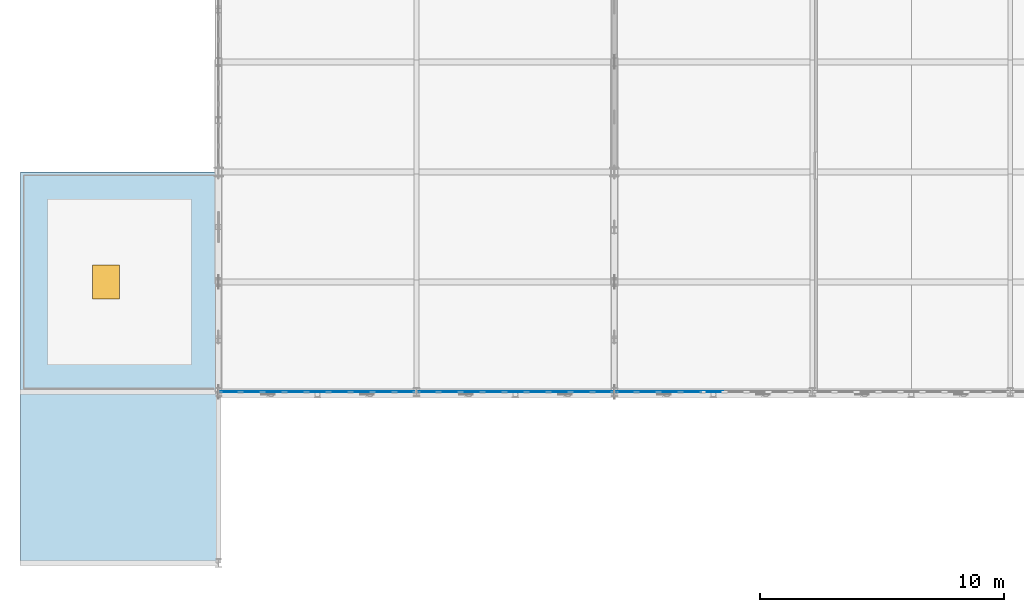
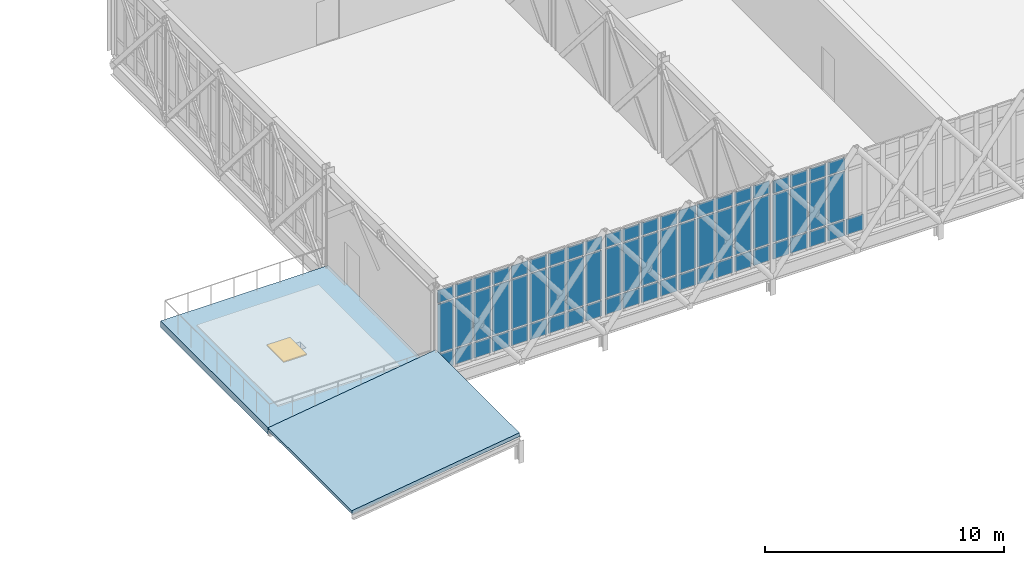
# One storey, part 64 of 107: 67 plates, 2 slabs, 1 door, 1 opening, 3 elements without a shape of their own.
"""IFC4 building model written with IfcOpenShell, lengths in metres."""

from ifc_helpers import new_model, si_unit, direction, frame, origin, origin_2d, place, context, subcontext, project, spatial, polyline, rectangle, outline, extrude, material, layer, layer_set, type_object, element, fill, aggregate, save


model = new_model("IFC4")

# Units and contexts
model_context = context("Model", 3, precision=1e-05, world=origin(), true_north=direction((0.0, 1.0)))
body_context = subcontext(model_context, "Body", "Model", "MODEL_VIEW")
ifc_project = project(units=[si_unit("LENGTHUNIT", "METRE"), si_unit("AREAUNIT", "SQUARE_METRE"), si_unit("VOLUMEUNIT", "CUBIC_METRE"), si_unit("PLANEANGLEUNIT", "RADIAN"), si_unit("MASSUNIT", "GRAM", prefix="KILO")], contexts=[model_context])

# Site, building, storey
site_placement = place(None, origin())
site = spatial("IfcSite", under=ifc_project, at=site_placement, CompositionType="ELEMENT")
building_placement = place(site_placement, origin())
building = spatial("IfcBuilding", under=site, at=building_placement, Name="Tarnveldt Square Police Headquarters", CompositionType="ELEMENT")
storey_placement = place(building_placement, frame((0.0, 0.0, 14.699951171875)))
storey = spatial("IfcBuildingStorey", under=building, at=storey_placement, Name="L03", CompositionType="ELEMENT", Elevation=14.699951171875)

# Curtain wall, plates
ifc_material_1 = material(Name="UL 752 Level III laminated ballistic vision glass", Category="glass")
curtain_wall_type_1 = type_object("IfcCurtainWallType", Name="CW-BL-810x422", PredefinedType="USERDEFINED", material=ifc_material_1)
curtain_wall_1_placement = place(storey_placement, origin())
curtain_wall_1 = element("IfcCurtainWall", 1, at=curtain_wall_1_placement, inside=storey, type_object=curtain_wall_type_1, Name="L03 Curtain Wall CW-L03-023", ObjectType="BALLISTIC CURTAIN WALL", PredefinedType="USERDEFINED")
ifc_layer_1 = layer(ifc_material_1, 0.0380859375)
ifc_layer_set_1 = layer_set([ifc_layer_1], Name="UL 752 Level III laminated ballistic vision glass")
plate_type = type_object("IfcPlateType", Name="CWP-BAL-38", PredefinedType="CURTAIN_PANEL", material=ifc_layer_set_1)
plate_1_placement = place(storey_placement, frame((8.5712890625, 7.0, 0.074951171875), z_axis=(0.0, 0.0, 1.0), x_axis=(1.0, 0.0, 0.0)))
plate_1 = element("IfcPlate", 2, at=plate_1_placement, type_object=plate_type, Name="CW-BL12 panel 1.1", PredefinedType="CURTAIN_PANEL", context=body_context, shape_type="SweptSolid", body=[
    extrude(rectangle(XDim=0.7724609375, YDim=0.0380859375, at=origin_2d()), origin(), (0.0, 0.0, 1.0), 0.78759765625),
])
plate_2_placement = place(storey_placement, frame((8.5712890625, 7.0, 0.9375), z_axis=(0.0, 0.0, 1.0), x_axis=(1.0, 0.0, 0.0)))
plate_2 = element("IfcPlate", 3, at=plate_2_placement, type_object=plate_type, Name="CW-BL12 panel 1.2", PredefinedType="CURTAIN_PANEL", context=body_context, shape_type="SweptSolid", body=[
    extrude(rectangle(XDim=0.7724609375, YDim=0.0380859375, at=origin_2d()), origin(), (0.0, 0.0, 1.0), 2.4951171875),
])
plate_3_placement = place(storey_placement, frame((8.5712890625, 7.0, 3.5078125), z_axis=(0.0, 0.0, 1.0), x_axis=(1.0, 0.0, 0.0)))
plate_3 = element("IfcPlate", 4, at=plate_3_placement, type_object=plate_type, Name="CW-BL12 panel 1.3", PredefinedType="CURTAIN_PANEL", context=body_context, shape_type="SweptSolid", body=[
    extrude(rectangle(XDim=0.7724609375, YDim=0.0380859375, at=origin_2d()), origin(), (0.0, 0.0, 1.0), 0.637451171875),
])
plate_4_placement = place(storey_placement, frame((9.449951171875, 7.0, 0.074951171875), z_axis=(0.0, 0.0, 1.0), x_axis=(1.0, 0.0, 0.0)))
plate_4 = element("IfcPlate", 5, at=plate_4_placement, type_object=plate_type, Name="CW-BL12 panel 2.1", PredefinedType="CURTAIN_PANEL", context=body_context, shape_type="SweptSolid", body=[
    extrude(rectangle(XDim=0.81494140625, YDim=0.0380859375, at=origin_2d()), origin(), (0.0, 0.0, 1.0), 0.78759765625),
])
plate_5_placement = place(storey_placement, frame((9.449951171875, 7.0, 0.9375), z_axis=(0.0, 0.0, 1.0), x_axis=(1.0, 0.0, 0.0)))
plate_5 = element("IfcPlate", 6, at=plate_5_placement, type_object=plate_type, Name="CW-BL12 panel 2.2", PredefinedType="CURTAIN_PANEL", context=body_context, shape_type="SweptSolid", body=[
    extrude(rectangle(XDim=0.81494140625, YDim=0.0380859375, at=origin_2d()), origin(), (0.0, 0.0, 1.0), 2.4951171875),
])
plate_6_placement = place(storey_placement, frame((9.449951171875, 7.0, 3.5078125), z_axis=(0.0, 0.0, 1.0), x_axis=(1.0, 0.0, 0.0)))
plate_6 = element("IfcPlate", 7, at=plate_6_placement, type_object=plate_type, Name="CW-BL12 panel 2.3", PredefinedType="CURTAIN_PANEL", context=body_context, shape_type="SweptSolid", body=[
    extrude(rectangle(XDim=0.81494140625, YDim=0.0380859375, at=origin_2d()), origin(), (0.0, 0.0, 1.0), 0.637451171875),
])
plate_7_placement = place(storey_placement, frame((10.35009765625, 7.0, 0.074951171875), z_axis=(0.0, 0.0, 1.0), x_axis=(1.0, 0.0, 0.0)))
plate_7 = element("IfcPlate", 8, at=plate_7_placement, type_object=plate_type, Name="CW-BL12 panel 3.1", PredefinedType="CURTAIN_PANEL", context=body_context, shape_type="SweptSolid", body=[
    extrude(rectangle(XDim=0.81494140625, YDim=0.0380859375, at=origin_2d()), origin(), (0.0, 0.0, 1.0), 0.78759765625),
])
plate_8_placement = place(storey_placement, frame((10.35009765625, 7.0, 0.9375), z_axis=(0.0, 0.0, 1.0), x_axis=(1.0, 0.0, 0.0)))
plate_8 = element("IfcPlate", 9, at=plate_8_placement, type_object=plate_type, Name="CW-BL12 panel 3.2", PredefinedType="CURTAIN_PANEL", context=body_context, shape_type="SweptSolid", body=[
    extrude(rectangle(XDim=0.81494140625, YDim=0.0380859375, at=origin_2d()), origin(), (0.0, 0.0, 1.0), 2.4951171875),
])
plate_9_placement = place(storey_placement, frame((10.35009765625, 7.0, 3.5078125), z_axis=(0.0, 0.0, 1.0), x_axis=(1.0, 0.0, 0.0)))
plate_9 = element("IfcPlate", 10, at=plate_9_placement, type_object=plate_type, Name="CW-BL12 panel 3.3", PredefinedType="CURTAIN_PANEL", context=body_context, shape_type="SweptSolid", body=[
    extrude(rectangle(XDim=0.81494140625, YDim=0.0380859375, at=origin_2d()), origin(), (0.0, 0.0, 1.0), 0.637451171875),
])
plate_10_placement = place(storey_placement, frame((11.25, 7.0, 0.074951171875), z_axis=(0.0, 0.0, 1.0), x_axis=(1.0, 0.0, 0.0)))
plate_10 = element("IfcPlate", 11, at=plate_10_placement, type_object=plate_type, Name="CW-BL12 panel 4.1", PredefinedType="CURTAIN_PANEL", context=body_context, shape_type="SweptSolid", body=[
    extrude(rectangle(XDim=0.81494140625, YDim=0.0380859375, at=origin_2d()), origin(), (0.0, 0.0, 1.0), 0.78759765625),
])
plate_11_placement = place(storey_placement, frame((11.25, 7.0, 0.9375), z_axis=(0.0, 0.0, 1.0), x_axis=(1.0, 0.0, 0.0)))
plate_11 = element("IfcPlate", 12, at=plate_11_placement, type_object=plate_type, Name="CW-BL12 panel 4.2", PredefinedType="CURTAIN_PANEL", context=body_context, shape_type="SweptSolid", body=[
    extrude(rectangle(XDim=0.81494140625, YDim=0.0380859375, at=origin_2d()), origin(), (0.0, 0.0, 1.0), 2.4951171875),
])
plate_12_placement = place(storey_placement, frame((11.25, 7.0, 3.5078125), z_axis=(0.0, 0.0, 1.0), x_axis=(1.0, 0.0, 0.0)))
plate_12 = element("IfcPlate", 13, at=plate_12_placement, type_object=plate_type, Name="CW-BL12 panel 4.3", PredefinedType="CURTAIN_PANEL", context=body_context, shape_type="SweptSolid", body=[
    extrude(rectangle(XDim=0.81494140625, YDim=0.0380859375, at=origin_2d()), origin(), (0.0, 0.0, 1.0), 0.637451171875),
])
plate_13_placement = place(storey_placement, frame((12.14990234375, 7.0, 0.074951171875), z_axis=(0.0, 0.0, 1.0), x_axis=(1.0, 0.0, 0.0)))
plate_13 = element("IfcPlate", 14, at=plate_13_placement, type_object=plate_type, Name="CW-BL12 panel 5.1", PredefinedType="CURTAIN_PANEL", context=body_context, shape_type="SweptSolid", body=[
    extrude(rectangle(XDim=0.81494140625, YDim=0.0380859375, at=origin_2d()), origin(), (0.0, 0.0, 1.0), 0.78759765625),
])
plate_14_placement = place(storey_placement, frame((12.14990234375, 7.0, 0.9375), z_axis=(0.0, 0.0, 1.0), x_axis=(1.0, 0.0, 0.0)))
plate_14 = element("IfcPlate", 15, at=plate_14_placement, type_object=plate_type, Name="CW-BL12 panel 5.2", PredefinedType="CURTAIN_PANEL", context=body_context, shape_type="SweptSolid", body=[
    extrude(rectangle(XDim=0.81494140625, YDim=0.0380859375, at=origin_2d()), origin(), (0.0, 0.0, 1.0), 2.4951171875),
])
plate_15_placement = place(storey_placement, frame((12.14990234375, 7.0, 3.5078125), z_axis=(0.0, 0.0, 1.0), x_axis=(1.0, 0.0, 0.0)))
plate_15 = element("IfcPlate", 16, at=plate_15_placement, type_object=plate_type, Name="CW-BL12 panel 5.3", PredefinedType="CURTAIN_PANEL", context=body_context, shape_type="SweptSolid", body=[
    extrude(rectangle(XDim=0.81494140625, YDim=0.0380859375, at=origin_2d()), origin(), (0.0, 0.0, 1.0), 0.637451171875),
])
plate_16_placement = place(storey_placement, frame((13.050048828125, 7.0, 0.074951171875), z_axis=(0.0, 0.0, 1.0), x_axis=(1.0, 0.0, 0.0)))
plate_16 = element("IfcPlate", 17, at=plate_16_placement, type_object=plate_type, Name="CW-BL12 panel 6.1", PredefinedType="CURTAIN_PANEL", context=body_context, shape_type="SweptSolid", body=[
    extrude(rectangle(XDim=0.81494140625, YDim=0.0380859375, at=origin_2d()), origin(), (0.0, 0.0, 1.0), 0.78759765625),
])
plate_17_placement = place(storey_placement, frame((13.050048828125, 7.0, 0.9375), z_axis=(0.0, 0.0, 1.0), x_axis=(1.0, 0.0, 0.0)))
plate_17 = element("IfcPlate", 18, at=plate_17_placement, type_object=plate_type, Name="CW-BL12 panel 6.2", PredefinedType="CURTAIN_PANEL", context=body_context, shape_type="SweptSolid", body=[
    extrude(rectangle(XDim=0.81494140625, YDim=0.0380859375, at=origin_2d()), origin(), (0.0, 0.0, 1.0), 2.4951171875),
])
plate_18_placement = place(storey_placement, frame((13.050048828125, 7.0, 3.5078125), z_axis=(0.0, 0.0, 1.0), x_axis=(1.0, 0.0, 0.0)))
plate_18 = element("IfcPlate", 19, at=plate_18_placement, type_object=plate_type, Name="CW-BL12 panel 6.3", PredefinedType="CURTAIN_PANEL", context=body_context, shape_type="SweptSolid", body=[
    extrude(rectangle(XDim=0.81494140625, YDim=0.0380859375, at=origin_2d()), origin(), (0.0, 0.0, 1.0), 0.637451171875),
])
plate_19_placement = place(storey_placement, frame((13.949951171875, 7.0, 0.074951171875), z_axis=(0.0, 0.0, 1.0), x_axis=(1.0, 0.0, 0.0)))
plate_19 = element("IfcPlate", 20, at=plate_19_placement, type_object=plate_type, Name="CW-BL12 panel 7.1", PredefinedType="CURTAIN_PANEL", context=body_context, shape_type="SweptSolid", body=[
    extrude(rectangle(XDim=0.81494140625, YDim=0.0380859375, at=origin_2d()), origin(), (0.0, 0.0, 1.0), 0.78759765625),
])
plate_20_placement = place(storey_placement, frame((13.949951171875, 7.0, 0.9375), z_axis=(0.0, 0.0, 1.0), x_axis=(1.0, 0.0, 0.0)))
plate_20 = element("IfcPlate", 21, at=plate_20_placement, type_object=plate_type, Name="CW-BL12 panel 7.2", PredefinedType="CURTAIN_PANEL", context=body_context, shape_type="SweptSolid", body=[
    extrude(rectangle(XDim=0.81494140625, YDim=0.0380859375, at=origin_2d()), origin(), (0.0, 0.0, 1.0), 2.4951171875),
])
plate_21_placement = place(storey_placement, frame((13.949951171875, 7.0, 3.5078125), z_axis=(0.0, 0.0, 1.0), x_axis=(1.0, 0.0, 0.0)))
plate_21 = element("IfcPlate", 22, at=plate_21_placement, type_object=plate_type, Name="CW-BL12 panel 7.3", PredefinedType="CURTAIN_PANEL", context=body_context, shape_type="SweptSolid", body=[
    extrude(rectangle(XDim=0.81494140625, YDim=0.0380859375, at=origin_2d()), origin(), (0.0, 0.0, 1.0), 0.637451171875),
])
plate_22_placement = place(storey_placement, frame((14.85009765625, 7.0, 0.074951171875), z_axis=(0.0, 0.0, 1.0), x_axis=(1.0, 0.0, 0.0)))
plate_22 = element("IfcPlate", 23, at=plate_22_placement, type_object=plate_type, Name="CW-BL12 panel 8.1", PredefinedType="CURTAIN_PANEL", context=body_context, shape_type="SweptSolid", body=[
    extrude(rectangle(XDim=0.81494140625, YDim=0.0380859375, at=origin_2d()), origin(), (0.0, 0.0, 1.0), 0.78759765625),
])
plate_23_placement = place(storey_placement, frame((14.85009765625, 7.0, 0.9375), z_axis=(0.0, 0.0, 1.0), x_axis=(1.0, 0.0, 0.0)))
plate_23 = element("IfcPlate", 24, at=plate_23_placement, type_object=plate_type, Name="CW-BL12 panel 8.2", PredefinedType="CURTAIN_PANEL", context=body_context, shape_type="SweptSolid", body=[
    extrude(rectangle(XDim=0.81494140625, YDim=0.0380859375, at=origin_2d()), origin(), (0.0, 0.0, 1.0), 2.4951171875),
])
plate_24_placement = place(storey_placement, frame((14.85009765625, 7.0, 3.5078125), z_axis=(0.0, 0.0, 1.0), x_axis=(1.0, 0.0, 0.0)))
plate_24 = element("IfcPlate", 25, at=plate_24_placement, type_object=plate_type, Name="CW-BL12 panel 8.3", PredefinedType="CURTAIN_PANEL", context=body_context, shape_type="SweptSolid", body=[
    extrude(rectangle(XDim=0.81494140625, YDim=0.0380859375, at=origin_2d()), origin(), (0.0, 0.0, 1.0), 0.637451171875),
])
plate_25_placement = place(storey_placement, frame((15.728759765625, 7.0, 0.074951171875), z_axis=(0.0, 0.0, 1.0), x_axis=(1.0, 0.0, 0.0)))
plate_25 = element("IfcPlate", 26, at=plate_25_placement, type_object=plate_type, Name="CW-BL12 panel 9.1", PredefinedType="CURTAIN_PANEL", context=body_context, shape_type="SweptSolid", body=[
    extrude(rectangle(XDim=0.7724609375, YDim=0.0380859375, at=origin_2d()), origin(), (0.0, 0.0, 1.0), 0.78759765625),
])
plate_26_placement = place(storey_placement, frame((15.728759765625, 7.0, 0.9375), z_axis=(0.0, 0.0, 1.0), x_axis=(1.0, 0.0, 0.0)))
plate_26 = element("IfcPlate", 27, at=plate_26_placement, type_object=plate_type, Name="CW-BL12 panel 9.2", PredefinedType="CURTAIN_PANEL", context=body_context, shape_type="SweptSolid", body=[
    extrude(rectangle(XDim=0.7724609375, YDim=0.0380859375, at=origin_2d()), origin(), (0.0, 0.0, 1.0), 2.4951171875),
])
plate_27_placement = place(storey_placement, frame((15.728759765625, 7.0, 3.5078125), z_axis=(0.0, 0.0, 1.0), x_axis=(1.0, 0.0, 0.0)))
plate_27 = element("IfcPlate", 28, at=plate_27_placement, type_object=plate_type, Name="CW-BL12 panel 9.3", PredefinedType="CURTAIN_PANEL", context=body_context, shape_type="SweptSolid", body=[
    extrude(rectangle(XDim=0.7724609375, YDim=0.0380859375, at=origin_2d()), origin(), (0.0, 0.0, 1.0), 0.637451171875),
])
aggregate(curtain_wall_1, [plate_1, plate_2, plate_3, plate_4, plate_5, plate_6, plate_7, plate_8, plate_9, plate_10, plate_11, plate_12, plate_13, plate_14, plate_15, plate_16, plate_17, plate_18, plate_19, plate_20, plate_21, plate_22, plate_23, plate_24, plate_25, plate_26, plate_27])

curtain_wall_2_placement = place(storey_placement, origin())
curtain_wall_2 = element("IfcCurtainWall", 29, at=curtain_wall_2_placement, inside=storey, type_object=curtain_wall_type_1, Name="L03 Curtain Wall CW-L03-024", ObjectType="BALLISTIC CURTAIN WALL", PredefinedType="USERDEFINED")
plate_28_placement = place(storey_placement, frame((16.671142578125, 7.0, 0.074951171875), z_axis=(0.0, 0.0, 1.0), x_axis=(1.0, 0.0, 0.0)))
plate_28 = element("IfcPlate", 30, at=plate_28_placement, type_object=plate_type, Name="CW-BL12 panel 1.1", PredefinedType="CURTAIN_PANEL", context=body_context, shape_type="SweptSolid", body=[
    extrude(rectangle(XDim=0.7724609375, YDim=0.0380859375, at=origin_2d()), origin(), (0.0, 0.0, 1.0), 0.78759765625),
])
plate_29_placement = place(storey_placement, frame((16.671142578125, 7.0, 0.9375), z_axis=(0.0, 0.0, 1.0), x_axis=(1.0, 0.0, 0.0)))
plate_29 = element("IfcPlate", 31, at=plate_29_placement, type_object=plate_type, Name="CW-BL12 panel 1.2", PredefinedType="CURTAIN_PANEL", context=body_context, shape_type="SweptSolid", body=[
    extrude(rectangle(XDim=0.7724609375, YDim=0.0380859375, at=origin_2d()), origin(), (0.0, 0.0, 1.0), 2.4951171875),
])
plate_30_placement = place(storey_placement, frame((16.671142578125, 7.0, 3.5078125), z_axis=(0.0, 0.0, 1.0), x_axis=(1.0, 0.0, 0.0)))
plate_30 = element("IfcPlate", 32, at=plate_30_placement, type_object=plate_type, Name="CW-BL12 panel 1.3", PredefinedType="CURTAIN_PANEL", context=body_context, shape_type="SweptSolid", body=[
    extrude(rectangle(XDim=0.7724609375, YDim=0.0380859375, at=origin_2d()), origin(), (0.0, 0.0, 1.0), 0.637451171875),
])
plate_31_placement = place(storey_placement, frame((17.550048828125, 7.0, 0.074951171875), z_axis=(0.0, 0.0, 1.0), x_axis=(1.0, 0.0, 0.0)))
plate_31 = element("IfcPlate", 33, at=plate_31_placement, type_object=plate_type, Name="CW-BL12 panel 2.1", PredefinedType="CURTAIN_PANEL", context=body_context, shape_type="SweptSolid", body=[
    extrude(rectangle(XDim=0.81494140625, YDim=0.0380859375, at=origin_2d()), origin(), (0.0, 0.0, 1.0), 0.78759765625),
])
plate_32_placement = place(storey_placement, frame((17.550048828125, 7.0, 0.9375), z_axis=(0.0, 0.0, 1.0), x_axis=(1.0, 0.0, 0.0)))
plate_32 = element("IfcPlate", 34, at=plate_32_placement, type_object=plate_type, Name="CW-BL12 panel 2.2", PredefinedType="CURTAIN_PANEL", context=body_context, shape_type="SweptSolid", body=[
    extrude(rectangle(XDim=0.81494140625, YDim=0.0380859375, at=origin_2d()), origin(), (0.0, 0.0, 1.0), 2.4951171875),
])
plate_33_placement = place(storey_placement, frame((17.550048828125, 7.0, 3.5078125), z_axis=(0.0, 0.0, 1.0), x_axis=(1.0, 0.0, 0.0)))
plate_33 = element("IfcPlate", 35, at=plate_33_placement, type_object=plate_type, Name="CW-BL12 panel 2.3", PredefinedType="CURTAIN_PANEL", context=body_context, shape_type="SweptSolid", body=[
    extrude(rectangle(XDim=0.81494140625, YDim=0.0380859375, at=origin_2d()), origin(), (0.0, 0.0, 1.0), 0.637451171875),
])
plate_34_placement = place(storey_placement, frame((18.449951171875, 7.0, 0.074951171875), z_axis=(0.0, 0.0, 1.0), x_axis=(1.0, 0.0, 0.0)))
plate_34 = element("IfcPlate", 36, at=plate_34_placement, type_object=plate_type, Name="CW-BL12 panel 3.1", PredefinedType="CURTAIN_PANEL", context=body_context, shape_type="SweptSolid", body=[
    extrude(rectangle(XDim=0.81494140625, YDim=0.0380859375, at=origin_2d()), origin(), (0.0, 0.0, 1.0), 0.78759765625),
])
plate_35_placement = place(storey_placement, frame((18.449951171875, 7.0, 0.9375), z_axis=(0.0, 0.0, 1.0), x_axis=(1.0, 0.0, 0.0)))
plate_35 = element("IfcPlate", 37, at=plate_35_placement, type_object=plate_type, Name="CW-BL12 panel 3.2", PredefinedType="CURTAIN_PANEL", context=body_context, shape_type="SweptSolid", body=[
    extrude(rectangle(XDim=0.81494140625, YDim=0.0380859375, at=origin_2d()), origin(), (0.0, 0.0, 1.0), 2.4951171875),
])
plate_36_placement = place(storey_placement, frame((18.449951171875, 7.0, 3.5078125), z_axis=(0.0, 0.0, 1.0), x_axis=(1.0, 0.0, 0.0)))
plate_36 = element("IfcPlate", 38, at=plate_36_placement, type_object=plate_type, Name="CW-BL12 panel 3.3", PredefinedType="CURTAIN_PANEL", context=body_context, shape_type="SweptSolid", body=[
    extrude(rectangle(XDim=0.81494140625, YDim=0.0380859375, at=origin_2d()), origin(), (0.0, 0.0, 1.0), 0.637451171875),
])
plate_37_placement = place(storey_placement, frame((19.35009765625, 7.0, 0.074951171875), z_axis=(0.0, 0.0, 1.0), x_axis=(1.0, 0.0, 0.0)))
plate_37 = element("IfcPlate", 39, at=plate_37_placement, type_object=plate_type, Name="CW-BL12 panel 4.1", PredefinedType="CURTAIN_PANEL", context=body_context, shape_type="SweptSolid", body=[
    extrude(rectangle(XDim=0.81494140625, YDim=0.0380859375, at=origin_2d()), origin(), (0.0, 0.0, 1.0), 0.78759765625),
])
plate_38_placement = place(storey_placement, frame((19.35009765625, 7.0, 0.9375), z_axis=(0.0, 0.0, 1.0), x_axis=(1.0, 0.0, 0.0)))
plate_38 = element("IfcPlate", 40, at=plate_38_placement, type_object=plate_type, Name="CW-BL12 panel 4.2", PredefinedType="CURTAIN_PANEL", context=body_context, shape_type="SweptSolid", body=[
    extrude(rectangle(XDim=0.81494140625, YDim=0.0380859375, at=origin_2d()), origin(), (0.0, 0.0, 1.0), 2.4951171875),
])
plate_39_placement = place(storey_placement, frame((19.35009765625, 7.0, 3.5078125), z_axis=(0.0, 0.0, 1.0), x_axis=(1.0, 0.0, 0.0)))
plate_39 = element("IfcPlate", 41, at=plate_39_placement, type_object=plate_type, Name="CW-BL12 panel 4.3", PredefinedType="CURTAIN_PANEL", context=body_context, shape_type="SweptSolid", body=[
    extrude(rectangle(XDim=0.81494140625, YDim=0.0380859375, at=origin_2d()), origin(), (0.0, 0.0, 1.0), 0.637451171875),
])
plate_40_placement = place(storey_placement, frame((20.25, 7.0, 0.074951171875), z_axis=(0.0, 0.0, 1.0), x_axis=(1.0, 0.0, 0.0)))
plate_40 = element("IfcPlate", 42, at=plate_40_placement, type_object=plate_type, Name="CW-BL12 panel 5.1", PredefinedType="CURTAIN_PANEL", context=body_context, shape_type="SweptSolid", body=[
    extrude(rectangle(XDim=0.81494140625, YDim=0.0380859375, at=origin_2d()), origin(), (0.0, 0.0, 1.0), 0.78759765625),
])
plate_41_placement = place(storey_placement, frame((20.25, 7.0, 0.9375), z_axis=(0.0, 0.0, 1.0), x_axis=(1.0, 0.0, 0.0)))
plate_41 = element("IfcPlate", 43, at=plate_41_placement, type_object=plate_type, Name="CW-BL12 panel 5.2", PredefinedType="CURTAIN_PANEL", context=body_context, shape_type="SweptSolid", body=[
    extrude(rectangle(XDim=0.81494140625, YDim=0.0380859375, at=origin_2d()), origin(), (0.0, 0.0, 1.0), 2.4951171875),
])
plate_42_placement = place(storey_placement, frame((20.25, 7.0, 3.5078125), z_axis=(0.0, 0.0, 1.0), x_axis=(1.0, 0.0, 0.0)))
plate_42 = element("IfcPlate", 44, at=plate_42_placement, type_object=plate_type, Name="CW-BL12 panel 5.3", PredefinedType="CURTAIN_PANEL", context=body_context, shape_type="SweptSolid", body=[
    extrude(rectangle(XDim=0.81494140625, YDim=0.0380859375, at=origin_2d()), origin(), (0.0, 0.0, 1.0), 0.637451171875),
])
plate_43_placement = place(storey_placement, frame((21.14990234375, 7.0, 0.074951171875), z_axis=(0.0, 0.0, 1.0), x_axis=(1.0, 0.0, 0.0)))
plate_43 = element("IfcPlate", 45, at=plate_43_placement, type_object=plate_type, Name="CW-BL12 panel 6.1", PredefinedType="CURTAIN_PANEL", context=body_context, shape_type="SweptSolid", body=[
    extrude(rectangle(XDim=0.81494140625, YDim=0.0380859375, at=origin_2d()), origin(), (0.0, 0.0, 1.0), 0.78759765625),
])
plate_44_placement = place(storey_placement, frame((21.14990234375, 7.0, 0.9375), z_axis=(0.0, 0.0, 1.0), x_axis=(1.0, 0.0, 0.0)))
plate_44 = element("IfcPlate", 46, at=plate_44_placement, type_object=plate_type, Name="CW-BL12 panel 6.2", PredefinedType="CURTAIN_PANEL", context=body_context, shape_type="SweptSolid", body=[
    extrude(rectangle(XDim=0.81494140625, YDim=0.0380859375, at=origin_2d()), origin(), (0.0, 0.0, 1.0), 2.4951171875),
])
plate_45_placement = place(storey_placement, frame((21.14990234375, 7.0, 3.5078125), z_axis=(0.0, 0.0, 1.0), x_axis=(1.0, 0.0, 0.0)))
plate_45 = element("IfcPlate", 47, at=plate_45_placement, type_object=plate_type, Name="CW-BL12 panel 6.3", PredefinedType="CURTAIN_PANEL", context=body_context, shape_type="SweptSolid", body=[
    extrude(rectangle(XDim=0.81494140625, YDim=0.0380859375, at=origin_2d()), origin(), (0.0, 0.0, 1.0), 0.637451171875),
])
plate_46_placement = place(storey_placement, frame((22.050048828125, 7.0, 0.074951171875), z_axis=(0.0, 0.0, 1.0), x_axis=(1.0, 0.0, 0.0)))
plate_46 = element("IfcPlate", 48, at=plate_46_placement, type_object=plate_type, Name="CW-BL12 panel 7.1", PredefinedType="CURTAIN_PANEL", context=body_context, shape_type="SweptSolid", body=[
    extrude(rectangle(XDim=0.81494140625, YDim=0.0380859375, at=origin_2d()), origin(), (0.0, 0.0, 1.0), 0.78759765625),
])
plate_47_placement = place(storey_placement, frame((22.050048828125, 7.0, 0.9375), z_axis=(0.0, 0.0, 1.0), x_axis=(1.0, 0.0, 0.0)))
plate_47 = element("IfcPlate", 49, at=plate_47_placement, type_object=plate_type, Name="CW-BL12 panel 7.2", PredefinedType="CURTAIN_PANEL", context=body_context, shape_type="SweptSolid", body=[
    extrude(rectangle(XDim=0.81494140625, YDim=0.0380859375, at=origin_2d()), origin(), (0.0, 0.0, 1.0), 2.4951171875),
])
plate_48_placement = place(storey_placement, frame((22.050048828125, 7.0, 3.5078125), z_axis=(0.0, 0.0, 1.0), x_axis=(1.0, 0.0, 0.0)))
plate_48 = element("IfcPlate", 50, at=plate_48_placement, type_object=plate_type, Name="CW-BL12 panel 7.3", PredefinedType="CURTAIN_PANEL", context=body_context, shape_type="SweptSolid", body=[
    extrude(rectangle(XDim=0.81494140625, YDim=0.0380859375, at=origin_2d()), origin(), (0.0, 0.0, 1.0), 0.637451171875),
])
plate_49_placement = place(storey_placement, frame((22.949951171875, 7.0, 0.074951171875), z_axis=(0.0, 0.0, 1.0), x_axis=(1.0, 0.0, 0.0)))
plate_49 = element("IfcPlate", 51, at=plate_49_placement, type_object=plate_type, Name="CW-BL12 panel 8.1", PredefinedType="CURTAIN_PANEL", context=body_context, shape_type="SweptSolid", body=[
    extrude(rectangle(XDim=0.81494140625, YDim=0.0380859375, at=origin_2d()), origin(), (0.0, 0.0, 1.0), 0.78759765625),
])
plate_50_placement = place(storey_placement, frame((22.949951171875, 7.0, 0.9375), z_axis=(0.0, 0.0, 1.0), x_axis=(1.0, 0.0, 0.0)))
plate_50 = element("IfcPlate", 52, at=plate_50_placement, type_object=plate_type, Name="CW-BL12 panel 8.2", PredefinedType="CURTAIN_PANEL", context=body_context, shape_type="SweptSolid", body=[
    extrude(rectangle(XDim=0.81494140625, YDim=0.0380859375, at=origin_2d()), origin(), (0.0, 0.0, 1.0), 2.4951171875),
])
plate_51_placement = place(storey_placement, frame((22.949951171875, 7.0, 3.5078125), z_axis=(0.0, 0.0, 1.0), x_axis=(1.0, 0.0, 0.0)))
plate_51 = element("IfcPlate", 53, at=plate_51_placement, type_object=plate_type, Name="CW-BL12 panel 8.3", PredefinedType="CURTAIN_PANEL", context=body_context, shape_type="SweptSolid", body=[
    extrude(rectangle(XDim=0.81494140625, YDim=0.0380859375, at=origin_2d()), origin(), (0.0, 0.0, 1.0), 0.637451171875),
])
plate_52_placement = place(storey_placement, frame((23.828857421875, 7.0, 0.074951171875), z_axis=(0.0, 0.0, 1.0), x_axis=(1.0, 0.0, 0.0)))
plate_52 = element("IfcPlate", 54, at=plate_52_placement, type_object=plate_type, Name="CW-BL12 panel 9.1", PredefinedType="CURTAIN_PANEL", context=body_context, shape_type="SweptSolid", body=[
    extrude(rectangle(XDim=0.7724609375, YDim=0.0380859375, at=origin_2d()), origin(), (0.0, 0.0, 1.0), 0.78759765625),
])
plate_53_placement = place(storey_placement, frame((23.828857421875, 7.0, 0.9375), z_axis=(0.0, 0.0, 1.0), x_axis=(1.0, 0.0, 0.0)))
plate_53 = element("IfcPlate", 55, at=plate_53_placement, type_object=plate_type, Name="CW-BL12 panel 9.2", PredefinedType="CURTAIN_PANEL", context=body_context, shape_type="SweptSolid", body=[
    extrude(rectangle(XDim=0.7724609375, YDim=0.0380859375, at=origin_2d()), origin(), (0.0, 0.0, 1.0), 2.4951171875),
])
plate_54_placement = place(storey_placement, frame((23.828857421875, 7.0, 3.5078125), z_axis=(0.0, 0.0, 1.0), x_axis=(1.0, 0.0, 0.0)))
plate_54 = element("IfcPlate", 56, at=plate_54_placement, type_object=plate_type, Name="CW-BL12 panel 9.3", PredefinedType="CURTAIN_PANEL", context=body_context, shape_type="SweptSolid", body=[
    extrude(rectangle(XDim=0.7724609375, YDim=0.0380859375, at=origin_2d()), origin(), (0.0, 0.0, 1.0), 0.637451171875),
])
aggregate(curtain_wall_2, [plate_28, plate_29, plate_30, plate_31, plate_32, plate_33, plate_34, plate_35, plate_36, plate_37, plate_38, plate_39, plate_40, plate_41, plate_42, plate_43, plate_44, plate_45, plate_46, plate_47, plate_48, plate_49, plate_50, plate_51, plate_52, plate_53, plate_54])

curtain_wall_type_2 = type_object("IfcCurtainWallType", Name="CW-BL-810x414", PredefinedType="USERDEFINED", material=ifc_material_1)
curtain_wall_3_placement = place(storey_placement, origin())
curtain_wall_3 = element("IfcCurtainWall", 57, at=curtain_wall_3_placement, inside=storey, type_object=curtain_wall_type_2, Name="L03 Curtain Wall CW-L03-025", ObjectType="BALLISTIC CURTAIN WALL", PredefinedType="USERDEFINED")
plate_55_placement = place(storey_placement, frame((24.771240234375, 7.0, 0.074951171875), z_axis=(0.0, 0.0, 1.0), x_axis=(1.0, 0.0, 0.0)))
plate_55 = element("IfcPlate", 58, at=plate_55_placement, type_object=plate_type, Name="CW-BL13 panel 1.1", PredefinedType="CURTAIN_PANEL", context=body_context, shape_type="SweptSolid", body=[
    extrude(rectangle(XDim=0.7724609375, YDim=0.0380859375, at=origin_2d()), origin(), (0.0, 0.0, 1.0), 0.78759765625),
])
plate_56_placement = place(storey_placement, frame((24.771240234375, 7.0, 0.9375), z_axis=(0.0, 0.0, 1.0), x_axis=(1.0, 0.0, 0.0)))
plate_56 = element("IfcPlate", 59, at=plate_56_placement, type_object=plate_type, Name="CW-BL13 panel 1.2", PredefinedType="CURTAIN_PANEL", context=body_context, shape_type="SweptSolid", body=[
    extrude(rectangle(XDim=0.7724609375, YDim=0.0380859375, at=origin_2d()), origin(), (0.0, 0.0, 1.0), 2.4189453125),
])
plate_57_placement = place(storey_placement, frame((24.771240234375, 7.0, 3.431640625), z_axis=(0.0, 0.0, 1.0), x_axis=(1.0, 0.0, 0.0)))
plate_57 = element("IfcPlate", 60, at=plate_57_placement, type_object=plate_type, Name="CW-BL13 panel 1.3", PredefinedType="CURTAIN_PANEL", context=body_context, shape_type="SweptSolid", body=[
    extrude(rectangle(XDim=0.7724609375, YDim=0.0380859375, at=origin_2d()), origin(), (0.0, 0.0, 1.0), 0.637451171875),
])
plate_58_placement = place(storey_placement, frame((25.64990234375, 7.0, 0.074951171875), z_axis=(0.0, 0.0, 1.0), x_axis=(1.0, 0.0, 0.0)))
plate_58 = element("IfcPlate", 61, at=plate_58_placement, type_object=plate_type, Name="CW-BL13 panel 2.1", PredefinedType="CURTAIN_PANEL", context=body_context, shape_type="SweptSolid", body=[
    extrude(rectangle(XDim=0.81494140625, YDim=0.0380859375, at=origin_2d()), origin(), (0.0, 0.0, 1.0), 0.78759765625),
])
plate_59_placement = place(storey_placement, frame((25.64990234375, 7.0, 0.9375), z_axis=(0.0, 0.0, 1.0), x_axis=(1.0, 0.0, 0.0)))
plate_59 = element("IfcPlate", 62, at=plate_59_placement, type_object=plate_type, Name="CW-BL13 panel 2.2", PredefinedType="CURTAIN_PANEL", context=body_context, shape_type="SweptSolid", body=[
    extrude(rectangle(XDim=0.81494140625, YDim=0.0380859375, at=origin_2d()), origin(), (0.0, 0.0, 1.0), 2.4189453125),
])
plate_60_placement = place(storey_placement, frame((25.64990234375, 7.0, 3.431640625), z_axis=(0.0, 0.0, 1.0), x_axis=(1.0, 0.0, 0.0)))
plate_60 = element("IfcPlate", 63, at=plate_60_placement, type_object=plate_type, Name="CW-BL13 panel 2.3", PredefinedType="CURTAIN_PANEL", context=body_context, shape_type="SweptSolid", body=[
    extrude(rectangle(XDim=0.81494140625, YDim=0.0380859375, at=origin_2d()), origin(), (0.0, 0.0, 1.0), 0.637451171875),
])
plate_61_placement = place(storey_placement, frame((26.550048828125, 7.0, 0.074951171875), z_axis=(0.0, 0.0, 1.0), x_axis=(1.0, 0.0, 0.0)))
plate_61 = element("IfcPlate", 64, at=plate_61_placement, type_object=plate_type, Name="CW-BL13 panel 3.1", PredefinedType="CURTAIN_PANEL", context=body_context, shape_type="SweptSolid", body=[
    extrude(rectangle(XDim=0.81494140625, YDim=0.0380859375, at=origin_2d()), origin(), (0.0, 0.0, 1.0), 0.78759765625),
])
plate_62_placement = place(storey_placement, frame((26.550048828125, 7.0, 0.9375), z_axis=(0.0, 0.0, 1.0), x_axis=(1.0, 0.0, 0.0)))
plate_62 = element("IfcPlate", 65, at=plate_62_placement, type_object=plate_type, Name="CW-BL13 panel 3.2", PredefinedType="CURTAIN_PANEL", context=body_context, shape_type="SweptSolid", body=[
    extrude(rectangle(XDim=0.81494140625, YDim=0.0380859375, at=origin_2d()), origin(), (0.0, 0.0, 1.0), 2.4189453125),
])
plate_63_placement = place(storey_placement, frame((26.550048828125, 7.0, 3.431640625), z_axis=(0.0, 0.0, 1.0), x_axis=(1.0, 0.0, 0.0)))
plate_63 = element("IfcPlate", 66, at=plate_63_placement, type_object=plate_type, Name="CW-BL13 panel 3.3", PredefinedType="CURTAIN_PANEL", context=body_context, shape_type="SweptSolid", body=[
    extrude(rectangle(XDim=0.81494140625, YDim=0.0380859375, at=origin_2d()), origin(), (0.0, 0.0, 1.0), 0.637451171875),
])
plate_64_placement = place(storey_placement, frame((27.449951171875, 7.0, 0.074951171875), z_axis=(0.0, 0.0, 1.0), x_axis=(1.0, 0.0, 0.0)))
plate_64 = element("IfcPlate", 67, at=plate_64_placement, type_object=plate_type, Name="CW-BL13 panel 4.1", PredefinedType="CURTAIN_PANEL", context=body_context, shape_type="SweptSolid", body=[
    extrude(rectangle(XDim=0.81494140625, YDim=0.0380859375, at=origin_2d()), origin(), (0.0, 0.0, 1.0), 0.78759765625),
])
plate_65_placement = place(storey_placement, frame((27.449951171875, 7.0, 0.9375), z_axis=(0.0, 0.0, 1.0), x_axis=(1.0, 0.0, 0.0)))
plate_65 = element("IfcPlate", 68, at=plate_65_placement, type_object=plate_type, Name="CW-BL13 panel 4.2", PredefinedType="CURTAIN_PANEL", context=body_context, shape_type="SweptSolid", body=[
    extrude(rectangle(XDim=0.81494140625, YDim=0.0380859375, at=origin_2d()), origin(), (0.0, 0.0, 1.0), 2.4189453125),
])
plate_66_placement = place(storey_placement, frame((27.449951171875, 7.0, 3.431640625), z_axis=(0.0, 0.0, 1.0), x_axis=(1.0, 0.0, 0.0)))
plate_66 = element("IfcPlate", 69, at=plate_66_placement, type_object=plate_type, Name="CW-BL13 panel 4.3", PredefinedType="CURTAIN_PANEL", context=body_context, shape_type="SweptSolid", body=[
    extrude(rectangle(XDim=0.81494140625, YDim=0.0380859375, at=origin_2d()), origin(), (0.0, 0.0, 1.0), 0.637451171875),
])
plate_67_placement = place(storey_placement, frame((28.35009765625, 7.0, 0.074951171875), z_axis=(0.0, 0.0, 1.0), x_axis=(1.0, 0.0, 0.0)))
plate_67 = element("IfcPlate", 70, at=plate_67_placement, type_object=plate_type, Name="CW-BL13 panel 5.1", PredefinedType="CURTAIN_PANEL", context=body_context, shape_type="SweptSolid", body=[
    extrude(rectangle(XDim=0.81494140625, YDim=0.0380859375, at=origin_2d()), origin(), (0.0, 0.0, 1.0), 0.78759765625),
])
aggregate(curtain_wall_3, [plate_55, plate_56, plate_57, plate_58, plate_59, plate_60, plate_61, plate_62, plate_63, plate_64, plate_65, plate_66, plate_67])

# Slab
ifc_material_2 = material(Name="Precast concrete 35 MPa", Category="concrete")
ifc_layer_2 = layer(ifc_material_2, 0.18994140625)
ifc_layer_set_2 = layer_set([ifc_layer_2], Name="Precast concrete 35 MPa")
slab_type_1 = type_object("IfcSlabType", Name="SL-PITCH-190", PredefinedType="ROOF", material=ifc_layer_set_2)
slab_1_placement = place(storey_placement, frame((0.0, 0.0, 0.0), z_axis=(-0.140581575886, 0.0, 0.990069098862), x_axis=(0.0, 1.0, 0.0)))
element("IfcSlab", 71, at=slab_1_placement, inside=storey, type_object=slab_type_1, Name="South-West Pavilion Snow-Shedding Roof", PredefinedType="ROOF", context=body_context, shape_type="SweptSolid", body=[
    extrude(outline(polyline([(0.0, 0.0), (7.0, 0.0), (7.0, -8.1813457924908), (0.0, -8.1813457924908), (0.0, 0.0)])), origin(), (0.0, 0.0, -1.0), 0.18994140625),
])

# Slab, opening, door
ifc_material_3 = material(Name="Concrete 40 MPa", Category="concrete")
ifc_layer_3 = layer(ifc_material_3, 0.340087890625)
ifc_layer_set_3 = layer_set([ifc_layer_3], Name="Concrete 40 MPa")
slab_type_2 = type_object("IfcSlabType", Name="SL-TER-340", PredefinedType="ROOF", material=ifc_layer_set_3)
slab_2_placement = place(storey_placement, frame((0.0, 0.0, -0.33984375)))
slab_2 = element("IfcSlab", 72, at=slab_2_placement, inside=storey, type_object=slab_type_2, Name="South-West Civic Roof Terrace", PredefinedType="ROOF", context=body_context, shape_type="SweptSolid", body=[
    extrude(outline(polyline([(0.0, 7.0), (0.0, 16.0), (8.10009765625, 16.0), (8.10009765625, 7.0), (0.0, 7.0)]), holes=[polyline([(4.300048828125, 11.75), (3.800048828125, 11.75), (3.800048828125, 11.25), (4.300048828125, 11.25), (4.300048828125, 11.75)])]), origin(), (0.0, 0.0, 1.0), 0.33984375),
])
opening_placement = place(slab_2_placement, frame((3.5, 11.5, 0.0)))
opening = element("IfcOpeningElement", 73, at=opening_placement, cuts=slab_2, Name="Opening RH2", PredefinedType="OPENING", context=body_context, shape_type="SweptSolid", body=[
    extrude(rectangle(XDim=1.10009765625, YDim=1.39990234375, at=origin_2d()), frame((0.0, 0.0, -0.010009765625)), (0.0, 0.0, 1.0), 0.419921875),
])
ifc_material_4 = material(Name="Steel 350W", Category="steel")
door_type = type_object("IfcDoorType", Name="HT-ROOF-110x140", OperationType="SINGLE_SWING_LEFT", PredefinedType="TRAPDOOR", material=ifc_material_4)
door_placement = place(opening_placement, frame((0.0, 0.0, 0.33984375)))
door = element("IfcDoor", 74, at=door_placement, inside=storey, type_object=door_type, Name="Roof Maintenance Access Hatch HT-TER-1", OperationType="SINGLE_SWING_LEFT", OverallHeight=1.39990234375, OverallWidth=1.10009765625, PredefinedType="TRAPDOOR", context=body_context, shape_type="SweptSolid", body=[
    extrude(rectangle(XDim=1.10009765625, YDim=1.39990234375, at=origin_2d()), origin(), (0.0, 0.0, 1.0), 0.050048828125),
])
fill(opening, door)

save(model, "model.ifc")
